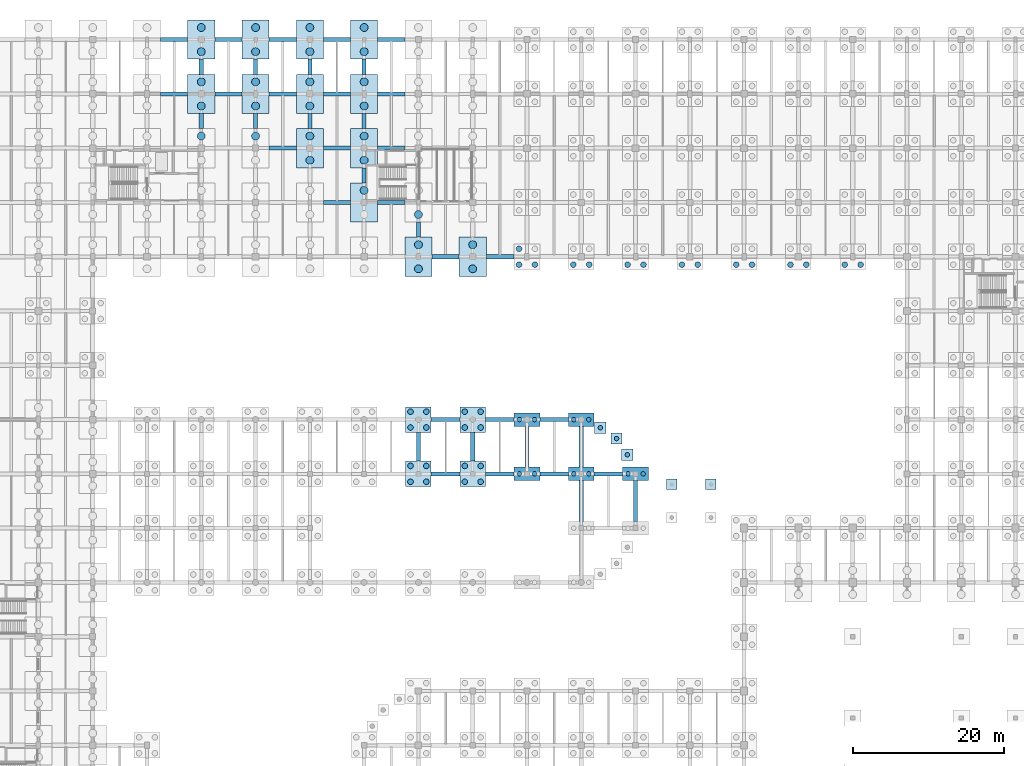
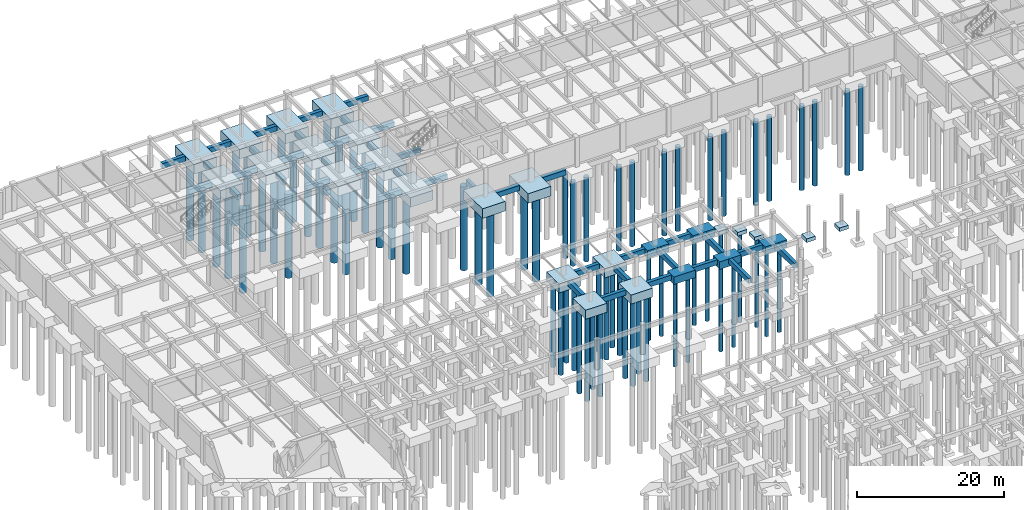
# One storey, part 8 of 47: 72 piles, 67 footings.
"""IFC4 building model written with IfcOpenShell, lengths in metres."""

from ifc_helpers import new_model, si_unit, direction, frame, origin, origin_2d, place, context, subcontext, project, spatial, rectangle, circle, extrude, material, material_profile, profile_set, type_object, element, save


model = new_model("IFC4")

# Units and contexts
model_context = context("Model", 3, precision=1e-05, world=origin(), true_north=direction((0.0, 1.0)))
body_context = subcontext(model_context, "Body", "Model", "MODEL_VIEW")
ifc_project = project(units=[si_unit("LENGTHUNIT", "METRE"), si_unit("AREAUNIT", "SQUARE_METRE"), si_unit("VOLUMEUNIT", "CUBIC_METRE"), si_unit("PLANEANGLEUNIT", "RADIAN"), si_unit("MASSUNIT", "GRAM", prefix="KILO")], contexts=[model_context])

# Site, building, storey
site_placement = place(None, origin())
site = spatial("IfcSite", under=ifc_project, at=site_placement, CompositionType="ELEMENT")
building_placement = place(site_placement, origin())
building = spatial("IfcBuilding", under=site, at=building_placement, Name="Thalmaran Polytechnic", CompositionType="ELEMENT")
storey_placement = place(building_placement, frame((0.0, 0.0, -4.5)))
storey = spatial("IfcBuildingStorey", under=building, at=storey_placement, Name="B1", CompositionType="ELEMENT", Elevation=-4.5)

# Footings
ifc_material_1 = material(Name="Concrete C40/50", Category="concrete")
ifc_material_profile_1 = material_profile(ifc_material_1, rectangle(XDim=0.550048828125, YDim=0.85009765625, at=origin_2d()), Name="RC 550x850")
ifc_profile_set_1 = profile_set([ifc_material_profile_1], Name="Concrete C40/50")
footing_type_1 = type_object("IfcFootingType", Name="FN-GB01", PredefinedType="FOOTING_BEAM", material=ifc_profile_set_1)
for number, where, z_axis, x_axis, name in (
    (1, (30.60009765625, 115.199951171875, -0.875), (1.0, 0.0, 0.0), (0.0, 1.0, 0.0), "Ground Tie Beam B1 X (4,16)"),
    (2, (30.60009765625, 122.39990234375, -0.875), (1.0, 0.0, 0.0), (0.0, 1.0, 0.0), "Ground Tie Beam B1 X (4,17)"),
):
    element("IfcFooting", number, at=place(storey_placement, frame(where, z_axis=z_axis, x_axis=x_axis)), inside=storey, type_object=footing_type_1, Name=name, PredefinedType="FOOTING_BEAM", context=body_context, shape_type="SweptSolid", body=[
        extrude(rectangle(XDim=0.550048828125, YDim=0.85009765625, at=origin_2d()), origin(), (0.0, 0.0, 1.0), 3.599853515625),
    ])
footing_1_placement = place(storey_placement, frame((36.0, 110.60009765625, -0.875), z_axis=(0.0, 1.0, 0.0), x_axis=(-1.0, 0.0, 0.0)))
element("IfcFooting", 3, at=footing_1_placement, inside=storey, type_object=footing_type_1, Name="Ground Tie Beam B1 Y (5,15)", PredefinedType="FOOTING_BEAM", context=body_context, shape_type="SweptSolid", body=[
    extrude(rectangle(XDim=0.550048828125, YDim=0.85009765625, at=origin_2d()), origin(), (0.0, 0.0, 1.0), 2.0),
])
footing_2_placement = place(storey_placement, frame((37.800048828125, 115.199951171875, -0.875), z_axis=(1.0, 0.0, 0.0), x_axis=(0.0, 1.0, 0.0)))
element("IfcFooting", 4, at=footing_2_placement, inside=storey, type_object=footing_type_1, Name="Ground Tie Beam B1 X (5,16)", PredefinedType="FOOTING_BEAM", context=body_context, shape_type="SweptSolid", body=[
    extrude(rectangle(XDim=0.550048828125, YDim=0.85009765625, at=origin_2d()), origin(), (0.0, 0.0, 1.0), 3.599853515625),
])
footing_3_placement = place(storey_placement, frame((36.0, 117.800048828125, -0.875), z_axis=(0.0, 1.0, 0.0), x_axis=(-1.0, 0.0, 0.0)))
element("IfcFooting", 5, at=footing_3_placement, inside=storey, type_object=footing_type_1, Name="Ground Tie Beam B1 Y (5,16)", PredefinedType="FOOTING_BEAM", context=body_context, shape_type="SweptSolid", body=[
    extrude(rectangle(XDim=0.550048828125, YDim=0.85009765625, at=origin_2d()), origin(), (0.0, 0.0, 1.0), 2.0),
])
footing_4_placement = place(storey_placement, frame((37.800048828125, 122.39990234375, -0.875), z_axis=(1.0, 0.0, 0.0), x_axis=(0.0, 1.0, 0.0)))
element("IfcFooting", 6, at=footing_4_placement, inside=storey, type_object=footing_type_1, Name="Ground Tie Beam B1 X (5,17)", PredefinedType="FOOTING_BEAM", context=body_context, shape_type="SweptSolid", body=[
    extrude(rectangle(XDim=0.550048828125, YDim=0.85009765625, at=origin_2d()), origin(), (0.0, 0.0, 1.0), 3.599853515625),
])
footing_5_placement = place(storey_placement, frame((45.0, 108.0, -0.875), z_axis=(1.0, 0.0, 0.0), x_axis=(0.0, 1.0, 0.0)))
element("IfcFooting", 7, at=footing_5_placement, inside=storey, type_object=footing_type_1, Name="Ground Tie Beam B1 X (6,15)", PredefinedType="FOOTING_BEAM", context=body_context, shape_type="SweptSolid", body=[
    extrude(rectangle(XDim=0.550048828125, YDim=0.85009765625, at=origin_2d()), origin(), (0.0, 0.0, 1.0), 3.60009765625),
])
footing_6_placement = place(storey_placement, frame((43.199951171875, 110.60009765625, -0.875), z_axis=(0.0, 1.0, 0.0), x_axis=(-1.0, 0.0, 0.0)))
element("IfcFooting", 8, at=footing_6_placement, inside=storey, type_object=footing_type_1, Name="Ground Tie Beam B1 Y (6,15)", PredefinedType="FOOTING_BEAM", context=body_context, shape_type="SweptSolid", body=[
    extrude(rectangle(XDim=0.550048828125, YDim=0.85009765625, at=origin_2d()), origin(), (0.0, 0.0, 1.0), 2.0),
])
footing_7_placement = place(storey_placement, frame((45.0, 115.199951171875, -0.875), z_axis=(1.0, 0.0, 0.0), x_axis=(0.0, 1.0, 0.0)))
element("IfcFooting", 9, at=footing_7_placement, inside=storey, type_object=footing_type_1, Name="Ground Tie Beam B1 X (6,16)", PredefinedType="FOOTING_BEAM", context=body_context, shape_type="SweptSolid", body=[
    extrude(rectangle(XDim=0.550048828125, YDim=0.85009765625, at=origin_2d()), origin(), (0.0, 0.0, 1.0), 3.60009765625),
])
footing_8_placement = place(storey_placement, frame((43.199951171875, 117.800048828125, -0.875), z_axis=(0.0, 1.0, 0.0), x_axis=(-1.0, 0.0, 0.0)))
element("IfcFooting", 10, at=footing_8_placement, inside=storey, type_object=footing_type_1, Name="Ground Tie Beam B1 Y (6,16)", PredefinedType="FOOTING_BEAM", context=body_context, shape_type="SweptSolid", body=[
    extrude(rectangle(XDim=0.550048828125, YDim=0.85009765625, at=origin_2d()), origin(), (0.0, 0.0, 1.0), 2.0),
])
for number, where, z_axis, x_axis, name in (
    (11, (45.0, 122.39990234375, -0.875), (1.0, 0.0, 0.0), (0.0, 1.0, 0.0), "Ground Tie Beam B1 X (6,17)"),
    (12, (52.199951171875, 100.800048828125, -0.875), (1.0, 0.0, 0.0), (0.0, 1.0, 0.0), "Ground Tie Beam B1 X (7,14)"),
    (13, (52.199951171875, 108.0, -0.875), (1.0, 0.0, 0.0), (0.0, 1.0, 0.0), "Ground Tie Beam B1 X (7,15)"),
):
    element("IfcFooting", number, at=place(storey_placement, frame(where, z_axis=z_axis, x_axis=x_axis)), inside=storey, type_object=footing_type_1, Name=name, PredefinedType="FOOTING_BEAM", context=body_context, shape_type="SweptSolid", body=[
        extrude(rectangle(XDim=0.550048828125, YDim=0.85009765625, at=origin_2d()), origin(), (0.0, 0.0, 1.0), 3.60009765625),
    ])
footing_9_placement = place(storey_placement, frame((50.39990234375, 110.60009765625, -0.875), z_axis=(0.0, 1.0, 0.0), x_axis=(-1.0, 0.0, 0.0)))
element("IfcFooting", 14, at=footing_9_placement, inside=storey, type_object=footing_type_1, Name="Ground Tie Beam B1 Y (7,15)", PredefinedType="FOOTING_BEAM", context=body_context, shape_type="SweptSolid", body=[
    extrude(rectangle(XDim=0.550048828125, YDim=0.85009765625, at=origin_2d()), origin(), (0.0, 0.0, 1.0), 2.0),
])
footing_10_placement = place(storey_placement, frame((52.199951171875, 115.199951171875, -0.875), z_axis=(1.0, 0.0, 0.0), x_axis=(0.0, 1.0, 0.0)))
element("IfcFooting", 15, at=footing_10_placement, inside=storey, type_object=footing_type_1, Name="Ground Tie Beam B1 X (7,16)", PredefinedType="FOOTING_BEAM", context=body_context, shape_type="SweptSolid", body=[
    extrude(rectangle(XDim=0.550048828125, YDim=0.85009765625, at=origin_2d()), origin(), (0.0, 0.0, 1.0), 3.60009765625),
])
footing_11_placement = place(storey_placement, frame((50.39990234375, 117.800048828125, -0.875), z_axis=(0.0, 1.0, 0.0), x_axis=(-1.0, 0.0, 0.0)))
element("IfcFooting", 16, at=footing_11_placement, inside=storey, type_object=footing_type_1, Name="Ground Tie Beam B1 Y (7,16)", PredefinedType="FOOTING_BEAM", context=body_context, shape_type="SweptSolid", body=[
    extrude(rectangle(XDim=0.550048828125, YDim=0.85009765625, at=origin_2d()), origin(), (0.0, 0.0, 1.0), 2.0),
])
for number, where, z_axis, x_axis, name in (
    (17, (52.199951171875, 122.39990234375, -0.875), (1.0, 0.0, 0.0), (0.0, 1.0, 0.0), "Ground Tie Beam B1 X (7,17)"),
    (18, (59.39990234375, 100.800048828125, -0.875), (1.0, 0.0, 0.0), (0.0, 1.0, 0.0), "Ground Tie Beam B1 X (8,14)"),
):
    element("IfcFooting", number, at=place(storey_placement, frame(where, z_axis=z_axis, x_axis=x_axis)), inside=storey, type_object=footing_type_1, Name=name, PredefinedType="FOOTING_BEAM", context=body_context, shape_type="SweptSolid", body=[
        extrude(rectangle(XDim=0.550048828125, YDim=0.85009765625, at=origin_2d()), origin(), (0.0, 0.0, 1.0), 3.60009765625),
    ])
footing_12_placement = place(storey_placement, frame((57.60009765625, 103.39990234375, -0.875), z_axis=(0.0, 1.0, 0.0), x_axis=(-1.0, 0.0, 0.0)))
element("IfcFooting", 19, at=footing_12_placement, inside=storey, type_object=footing_type_1, Name="Ground Tie Beam B1 Y (8,14)", PredefinedType="FOOTING_BEAM", context=body_context, shape_type="SweptSolid", body=[
    extrude(rectangle(XDim=0.550048828125, YDim=0.85009765625, at=origin_2d()), origin(), (0.0, 0.0, 1.0), 2.0),
])
footing_13_placement = place(storey_placement, frame((59.39990234375, 108.0, -0.875), z_axis=(1.0, 0.0, 0.0), x_axis=(0.0, 1.0, 0.0)))
element("IfcFooting", 20, at=footing_13_placement, inside=storey, type_object=footing_type_1, Name="Ground Tie Beam B1 X (8,15)", PredefinedType="FOOTING_BEAM", context=body_context, shape_type="SweptSolid", body=[
    extrude(rectangle(XDim=0.550048828125, YDim=0.85009765625, at=origin_2d()), origin(), (0.0, 0.0, 1.0), 3.60009765625),
])
footing_14_placement = place(storey_placement, frame((57.60009765625, 110.60009765625, -0.875), z_axis=(0.0, 1.0, 0.0), x_axis=(-1.0, 0.0, 0.0)))
element("IfcFooting", 21, at=footing_14_placement, inside=storey, type_object=footing_type_1, Name="Ground Tie Beam B1 Y (8,15)", PredefinedType="FOOTING_BEAM", context=body_context, shape_type="SweptSolid", body=[
    extrude(rectangle(XDim=0.550048828125, YDim=0.85009765625, at=origin_2d()), origin(), (0.0, 0.0, 1.0), 2.0),
])
footing_15_placement = place(storey_placement, frame((59.39990234375, 115.199951171875, -0.875), z_axis=(1.0, 0.0, 0.0), x_axis=(0.0, 1.0, 0.0)))
element("IfcFooting", 22, at=footing_15_placement, inside=storey, type_object=footing_type_1, Name="Ground Tie Beam B1 X (8,16)", PredefinedType="FOOTING_BEAM", context=body_context, shape_type="SweptSolid", body=[
    extrude(rectangle(XDim=0.550048828125, YDim=0.85009765625, at=origin_2d()), origin(), (0.0, 0.0, 1.0), 3.60009765625),
])
footing_16_placement = place(storey_placement, frame((57.60009765625, 117.800048828125, -0.875), z_axis=(0.0, 1.0, 0.0), x_axis=(-1.0, 0.0, 0.0)))
element("IfcFooting", 23, at=footing_16_placement, inside=storey, type_object=footing_type_1, Name="Ground Tie Beam B1 Y (8,16)", PredefinedType="FOOTING_BEAM", context=body_context, shape_type="SweptSolid", body=[
    extrude(rectangle(XDim=0.550048828125, YDim=0.85009765625, at=origin_2d()), origin(), (0.0, 0.0, 1.0), 2.0),
])
footing_17_placement = place(storey_placement, frame((59.39990234375, 122.39990234375, -0.875), z_axis=(1.0, 0.0, 0.0), x_axis=(0.0, 1.0, 0.0)))
element("IfcFooting", 24, at=footing_17_placement, inside=storey, type_object=footing_type_1, Name="Ground Tie Beam B1 X (8,17)", PredefinedType="FOOTING_BEAM", context=body_context, shape_type="SweptSolid", body=[
    extrude(rectangle(XDim=0.550048828125, YDim=0.85009765625, at=origin_2d()), origin(), (0.0, 0.0, 1.0), 3.60009765625),
])
for number, where, z_axis, x_axis, name in (
    (25, (66.5, 64.800048828125, -0.875), (1.0, 0.0, 0.0), (0.0, 1.0, 0.0), "Ground Tie Beam B1 X (9,9)"),
    (26, (64.800048828125, 66.5, -0.875), (0.0, 1.0, 0.0), (-1.0, 0.0, 0.0), "Ground Tie Beam B1 Y (9,9)"),
    (27, (66.5, 72.0, -0.875), (1.0, 0.0, 0.0), (0.0, 1.0, 0.0), "Ground Tie Beam B1 X (9,10)"),
):
    element("IfcFooting", number, at=place(storey_placement, frame(where, z_axis=z_axis, x_axis=x_axis)), inside=storey, type_object=footing_type_1, Name=name, PredefinedType="FOOTING_BEAM", context=body_context, shape_type="SweptSolid", body=[
        extrude(rectangle(XDim=0.550048828125, YDim=0.85009765625, at=origin_2d()), origin(), (0.0, 0.0, 1.0), 3.800048828125),
    ])
footing_18_placement = place(storey_placement, frame((66.60009765625, 93.60009765625, -0.875), z_axis=(1.0, 0.0, 0.0), x_axis=(0.0, 1.0, 0.0)))
element("IfcFooting", 28, at=footing_18_placement, inside=storey, type_object=footing_type_1, Name="Ground Tie Beam B1 X (9,13)", PredefinedType="FOOTING_BEAM", context=body_context, shape_type="SweptSolid", body=[
    extrude(rectangle(XDim=0.550048828125, YDim=0.85009765625, at=origin_2d()), origin(), (0.0, 0.0, 1.0), 3.599853515625),
])
footing_19_placement = place(storey_placement, frame((64.800048828125, 96.199951171875, -0.875), z_axis=(0.0, 1.0, 0.0), x_axis=(-1.0, 0.0, 0.0)))
element("IfcFooting", 29, at=footing_19_placement, inside=storey, type_object=footing_type_1, Name="Ground Tie Beam B1 Y (9,13)", PredefinedType="FOOTING_BEAM", context=body_context, shape_type="SweptSolid", body=[
    extrude(rectangle(XDim=0.550048828125, YDim=0.85009765625, at=origin_2d()), origin(), (0.0, 0.0, 1.0), 2.0),
])
for number, where, z_axis, x_axis, name in (
    (30, (73.699951171875, 64.800048828125, -0.875), (1.0, 0.0, 0.0), (0.0, 1.0, 0.0), "Ground Tie Beam B1 X (10,9)"),
    (31, (72.0, 66.5, -0.875), (0.0, 1.0, 0.0), (-1.0, 0.0, 0.0), "Ground Tie Beam B1 Y (10,9)"),
    (32, (73.699951171875, 72.0, -0.875), (1.0, 0.0, 0.0), (0.0, 1.0, 0.0), "Ground Tie Beam B1 X (10,10)"),
):
    element("IfcFooting", number, at=place(storey_placement, frame(where, z_axis=z_axis, x_axis=x_axis)), inside=storey, type_object=footing_type_1, Name=name, PredefinedType="FOOTING_BEAM", context=body_context, shape_type="SweptSolid", body=[
        extrude(rectangle(XDim=0.550048828125, YDim=0.85009765625, at=origin_2d()), origin(), (0.0, 0.0, 1.0), 3.800048828125),
    ])
footing_20_placement = place(storey_placement, frame((73.800048828125, 93.60009765625, -0.875), z_axis=(1.0, 0.0, 0.0), x_axis=(0.0, 1.0, 0.0)))
element("IfcFooting", 33, at=footing_20_placement, inside=storey, type_object=footing_type_1, Name="Ground Tie Beam B1 X (10,13)", PredefinedType="FOOTING_BEAM", context=body_context, shape_type="SweptSolid", body=[
    extrude(rectangle(XDim=0.550048828125, YDim=0.85009765625, at=origin_2d()), origin(), (0.0, 0.0, 1.0), 3.699951171875),
])
footing_21_placement = place(storey_placement, frame((80.89990234375, 64.800048828125, -0.875), z_axis=(1.0, 0.0, 0.0), x_axis=(0.0, 1.0, 0.0)))
element("IfcFooting", 34, at=footing_21_placement, inside=storey, type_object=footing_type_1, Name="Ground Tie Beam B1 X (11,9)", PredefinedType="FOOTING_BEAM", context=body_context, shape_type="SweptSolid", body=[
    extrude(rectangle(XDim=0.550048828125, YDim=0.85009765625, at=origin_2d()), origin(), (0.0, 0.0, 1.0), 3.800048828125),
])
footing_22_placement = place(storey_placement, frame((79.199951171875, 65.699951171875, -0.875), z_axis=(0.0, 1.0, 0.0), x_axis=(-1.0, 0.0, 0.0)))
element("IfcFooting", 35, at=footing_22_placement, inside=storey, type_object=footing_type_1, Name="Ground Tie Beam B1 Y (11,9)", PredefinedType="FOOTING_BEAM", context=body_context, shape_type="SweptSolid", body=[
    extrude(rectangle(XDim=0.550048828125, YDim=0.85009765625, at=origin_2d()), origin(), (0.0, 0.0, 1.0), 5.400146484375),
])
footing_23_placement = place(storey_placement, frame((80.89990234375, 72.0, -0.875), z_axis=(1.0, 0.0, 0.0), x_axis=(0.0, 1.0, 0.0)))
element("IfcFooting", 36, at=footing_23_placement, inside=storey, type_object=footing_type_1, Name="Ground Tie Beam B1 X (11,10)", PredefinedType="FOOTING_BEAM", context=body_context, shape_type="SweptSolid", body=[
    extrude(rectangle(XDim=0.550048828125, YDim=0.85009765625, at=origin_2d()), origin(), (0.0, 0.0, 1.0), 3.800048828125),
])
footing_24_placement = place(storey_placement, frame((86.39990234375, 58.5, -0.875), z_axis=(0.0, 1.0, 0.0), x_axis=(-1.0, 0.0, 0.0)))
element("IfcFooting", 37, at=footing_24_placement, inside=storey, type_object=footing_type_1, Name="Ground Tie Beam B1 Y (12,8)", PredefinedType="FOOTING_BEAM", context=body_context, shape_type="SweptSolid", body=[
    extrude(rectangle(XDim=0.550048828125, YDim=0.85009765625, at=origin_2d()), origin(), (0.0, 0.0, 1.0), 5.39990234375),
])
footing_25_placement = place(storey_placement, frame((88.10009765625, 64.800048828125, -0.875), z_axis=(1.0, 0.0, 0.0), x_axis=(0.0, 1.0, 0.0)))
element("IfcFooting", 38, at=footing_25_placement, inside=storey, type_object=footing_type_1, Name="Ground Tie Beam B1 X (12,9)", PredefinedType="FOOTING_BEAM", context=body_context, shape_type="SweptSolid", body=[
    extrude(rectangle(XDim=0.550048828125, YDim=0.85009765625, at=origin_2d()), origin(), (0.0, 0.0, 1.0), 3.7998046875),
])
footing_26_placement = place(storey_placement, frame((86.39990234375, 65.699951171875, -0.875), z_axis=(0.0, 1.0, 0.0), x_axis=(-1.0, 0.0, 0.0)))
element("IfcFooting", 39, at=footing_26_placement, inside=storey, type_object=footing_type_1, Name="Ground Tie Beam B1 Y (12,9)", PredefinedType="FOOTING_BEAM", context=body_context, shape_type="SweptSolid", body=[
    extrude(rectangle(XDim=0.550048828125, YDim=0.85009765625, at=origin_2d()), origin(), (0.0, 0.0, 1.0), 5.400146484375),
])
footing_27_placement = place(storey_placement, frame((93.60009765625, 58.5, -0.875), z_axis=(0.0, 1.0, 0.0), x_axis=(-1.0, 0.0, 0.0)))
element("IfcFooting", 40, at=footing_27_placement, inside=storey, type_object=footing_type_1, Name="Ground Tie Beam B1 Y (13,8)", PredefinedType="FOOTING_BEAM", context=body_context, shape_type="SweptSolid", body=[
    extrude(rectangle(XDim=0.550048828125, YDim=0.85009765625, at=origin_2d()), origin(), (0.0, 0.0, 1.0), 5.39990234375),
])
footing_type_2 = type_object("IfcFootingType", Name="FN-PC01", PredefinedType="PILE_CAP", material=ifc_material_1)
for number, where, z_axis, x_axis, name in (
    (41, (64.800048828125, 64.800048828125, -1.949951171875), (0.0, 0.0, 1.0), (1.0, 0.0, 0.0), "Pile Cap PC01 (9,9)"),
    (42, (64.800048828125, 72.0, -1.949951171875), (0.0, 0.0, 1.0), (1.0, 0.0, 0.0), "Pile Cap PC01 (9,10)"),
    (43, (72.0, 64.800048828125, -1.949951171875), (0.0, 0.0, 1.0), (1.0, 0.0, 0.0), "Pile Cap PC01 (10,9)"),
    (44, (72.0, 72.0, -1.949951171875), (0.0, 0.0, 1.0), (1.0, 0.0, 0.0), "Pile Cap PC01 (10,10)"),
):
    element("IfcFooting", number, at=place(storey_placement, frame(where, z_axis=z_axis, x_axis=x_axis)), inside=storey, type_object=footing_type_2, Name=name, PredefinedType="PILE_CAP", context=body_context, shape_type="SweptSolid", body=[
        extrude(rectangle(XDim=3.39990234375, YDim=3.39990234375, at=origin_2d()), origin(), (0.0, 0.0, 1.0), 1.5),
    ])
footing_type_3 = type_object("IfcFootingType", Name="FN-PC05", PredefinedType="PILE_CAP", material=ifc_material_1)
for number, where, z_axis, x_axis, name in (
    (45, (79.199951171875, 64.800048828125, -1.699951171875), (0.0, 0.0, 1.0), (1.0, 0.0, 0.0), "Pile Cap PC05 (11,9)"),
    (46, (79.199951171875, 72.0, -1.699951171875), (0.0, 0.0, 1.0), (1.0, 0.0, 0.0), "Pile Cap PC05 (11,10)"),
    (47, (86.39990234375, 64.800048828125, -1.699951171875), (0.0, 0.0, 1.0), (1.0, 0.0, 0.0), "Pile Cap PC05 (12,9)"),
    (48, (86.39990234375, 72.0, -1.699951171875), (0.0, 0.0, 1.0), (1.0, 0.0, 0.0), "Pile Cap PC05 (12,10)"),
    (49, (93.60009765625, 64.800048828125, -1.699951171875), (0.0, 0.0, 1.0), (1.0, 0.0, 0.0), "Pile Cap PC05 (13,9)"),
):
    element("IfcFooting", number, at=place(storey_placement, frame(where, z_axis=z_axis, x_axis=x_axis)), inside=storey, type_object=footing_type_3, Name=name, PredefinedType="PILE_CAP", context=body_context, shape_type="SweptSolid", body=[
        extrude(rectangle(XDim=3.39990234375, YDim=1.800048828125, at=origin_2d()), origin(), (0.0, 0.0, 1.0), 1.25),
    ])
footing_type_4 = type_object("IfcFootingType", Name="FN-PC08", PredefinedType="PILE_CAP", material=ifc_material_1)
for number, where, z_axis, x_axis, name in (
    (50, (36.0, 115.199951171875, -2.050048828125), (0.0, 0.0, 1.0), (1.0, 0.0, 0.0), "Pile Cap PC08 (5,16)"),
    (51, (36.0, 122.39990234375, -2.050048828125), (0.0, 0.0, 1.0), (1.0, 0.0, 0.0), "Pile Cap PC08 (5,17)"),
    (52, (43.199951171875, 115.199951171875, -2.050048828125), (0.0, 0.0, 1.0), (1.0, 0.0, 0.0), "Pile Cap PC08 (6,16)"),
    (53, (43.199951171875, 122.39990234375, -2.050048828125), (0.0, 0.0, 1.0), (1.0, 0.0, 0.0), "Pile Cap PC08 (6,17)"),
    (54, (50.39990234375, 108.0, -2.050048828125), (0.0, 0.0, 1.0), (1.0, 0.0, 0.0), "Pile Cap PC08 (7,15)"),
    (55, (50.39990234375, 115.199951171875, -2.050048828125), (0.0, 0.0, 1.0), (1.0, 0.0, 0.0), "Pile Cap PC08 (7,16)"),
    (56, (50.39990234375, 122.39990234375, -2.050048828125), (0.0, 0.0, 1.0), (1.0, 0.0, 0.0), "Pile Cap PC08 (7,17)"),
    (57, (57.60009765625, 100.800048828125, -2.050048828125), (0.0, 0.0, 1.0), (1.0, 0.0, 0.0), "Pile Cap PC08 (8,14)"),
    (58, (57.60009765625, 108.0, -2.050048828125), (0.0, 0.0, 1.0), (1.0, 0.0, 0.0), "Pile Cap PC08 (8,15)"),
    (59, (57.60009765625, 115.199951171875, -2.050048828125), (0.0, 0.0, 1.0), (1.0, 0.0, 0.0), "Pile Cap PC08 (8,16)"),
    (60, (57.60009765625, 122.39990234375, -2.050048828125), (0.0, 0.0, 1.0), (1.0, 0.0, 0.0), "Pile Cap PC08 (8,17)"),
    (61, (64.800048828125, 93.60009765625, -2.050048828125), (0.0, 0.0, 1.0), (1.0, 0.0, 0.0), "Pile Cap PC08 (9,13)"),
    (62, (72.0, 93.60009765625, -2.050048828125), (0.0, 0.0, 1.0), (1.0, 0.0, 0.0), "Pile Cap PC08 (10,13)"),
):
    element("IfcFooting", number, at=place(storey_placement, frame(where, z_axis=z_axis, x_axis=x_axis)), inside=storey, type_object=footing_type_4, Name=name, PredefinedType="PILE_CAP", context=body_context, shape_type="SweptSolid", body=[
        extrude(rectangle(XDim=3.60009765625, YDim=5.199951171875, at=origin_2d()), origin(), (0.0, 0.0, 1.0), 1.60009765625),
    ])
footing_type_5 = type_object("IfcFootingType", Name="FN-PF03", PredefinedType="PAD_FOOTING", material=ifc_material_1)
for number, where, z_axis, x_axis, name in (
    (63, (98.39990234375, 63.39990234375, -1.050048828125), (0.0, 0.0, 1.0), (1.0, 0.0, 0.0), "Court Canopy Sabkha Footing 0-63"),
    (64, (103.60009765625, 63.39990234375, -1.050048828125), (0.0, 0.0, 1.0), (1.0, 0.0, 0.0), "Court Canopy Sabkha Footing 1-63"),
):
    element("IfcFooting", number, at=place(storey_placement, frame(where, z_axis=z_axis, x_axis=x_axis)), inside=storey, type_object=footing_type_5, Name=name, PredefinedType="PAD_FOOTING", context=body_context, shape_type="SweptSolid", body=[
        extrude(rectangle(XDim=1.39990234375, YDim=1.39990234375, at=origin_2d()), origin(), (0.0, 0.0, 1.0), 0.60009765625),
    ])
for number, where, z_axis, x_axis, name in (
    (65, (92.51611328125, 67.333251953125, -1.050048828125), (0.0, 0.0, 1.0), (1.0, 0.0, 0.0), "Refectory Drum Column Cap V6NE1"),
    (66, (91.0810546875, 69.48095703125, -1.050048828125), (0.0, 0.0, 1.0), (1.0, 0.0, 0.0), "Refectory Drum Column Cap V6NE2"),
    (67, (88.933349609375, 70.916015625, -1.050048828125), (0.0, 0.0, 1.0), (1.0, 0.0, 0.0), "Refectory Drum Column Cap V6NE3"),
):
    element("IfcFooting", number, at=place(storey_placement, frame(where, z_axis=z_axis, x_axis=x_axis)), inside=storey, type_object=footing_type_5, Name=name, PredefinedType="PAD_FOOTING", context=body_context, shape_type="SweptSolid", body=[
        extrude(rectangle(XDim=1.5, YDim=1.5, at=origin_2d()), origin(), (0.0, 0.0, 1.0), 0.60009765625),
    ])

# Piles
ifc_material_2 = material(Name="Concrete C35/45", Category="concrete")
ifc_material_profile_2 = material_profile(ifc_material_2, circle(Radius=0.52490234375, at=origin_2d()), Name="RC 1050 DIA")
ifc_profile_set_2 = profile_set([ifc_material_profile_2], Name="Concrete C35/45")
pile_type_1 = type_object("IfcPileType", Name="PL-BP01", PredefinedType="BORED", material=ifc_profile_set_2)
for number, where, z_axis, x_axis, name in (
    (68, (36.0, 109.60009765625, -2.050048828125), (0.0, 0.0, -1.0), (1.0, 0.0, 0.0), "Bored Pile BP01 (5,15)-2"),
    (69, (36.0, 113.60009765625, -2.050048828125), (0.0, 0.0, -1.0), (1.0, 0.0, 0.0), "Bored Pile BP01 (5,16)-1"),
    (70, (36.0, 116.800048828125, -2.050048828125), (0.0, 0.0, -1.0), (1.0, 0.0, 0.0), "Bored Pile BP01 (5,16)-2"),
    (71, (36.0, 120.800048828125, -2.050048828125), (0.0, 0.0, -1.0), (1.0, 0.0, 0.0), "Bored Pile BP01 (5,17)-1"),
    (72, (36.0, 124.0, -2.050048828125), (0.0, 0.0, -1.0), (1.0, 0.0, 0.0), "Bored Pile BP01 (5,17)-2"),
    (73, (43.199951171875, 109.60009765625, -2.050048828125), (0.0, 0.0, -1.0), (1.0, 0.0, 0.0), "Bored Pile BP01 (6,15)-2"),
    (74, (43.199951171875, 113.60009765625, -2.050048828125), (0.0, 0.0, -1.0), (1.0, 0.0, 0.0), "Bored Pile BP01 (6,16)-1"),
    (75, (43.199951171875, 116.800048828125, -2.050048828125), (0.0, 0.0, -1.0), (1.0, 0.0, 0.0), "Bored Pile BP01 (6,16)-2"),
    (76, (43.199951171875, 120.800048828125, -2.050048828125), (0.0, 0.0, -1.0), (1.0, 0.0, 0.0), "Bored Pile BP01 (6,17)-1"),
    (77, (43.199951171875, 124.0, -2.050048828125), (0.0, 0.0, -1.0), (1.0, 0.0, 0.0), "Bored Pile BP01 (6,17)-2"),
    (78, (50.39990234375, 106.39990234375, -2.050048828125), (0.0, 0.0, -1.0), (1.0, 0.0, 0.0), "Bored Pile BP01 (7,15)-1"),
    (79, (50.39990234375, 109.60009765625, -2.050048828125), (0.0, 0.0, -1.0), (1.0, 0.0, 0.0), "Bored Pile BP01 (7,15)-2"),
    (80, (50.39990234375, 113.60009765625, -2.050048828125), (0.0, 0.0, -1.0), (1.0, 0.0, 0.0), "Bored Pile BP01 (7,16)-1"),
    (81, (50.39990234375, 116.800048828125, -2.050048828125), (0.0, 0.0, -1.0), (1.0, 0.0, 0.0), "Bored Pile BP01 (7,16)-2"),
    (82, (50.39990234375, 120.800048828125, -2.050048828125), (0.0, 0.0, -1.0), (1.0, 0.0, 0.0), "Bored Pile BP01 (7,17)-1"),
    (83, (50.39990234375, 124.0, -2.050048828125), (0.0, 0.0, -1.0), (1.0, 0.0, 0.0), "Bored Pile BP01 (7,17)-2"),
    (84, (57.60009765625, 102.39990234375, -2.050048828125), (0.0, 0.0, -1.0), (1.0, 0.0, 0.0), "Bored Pile BP01 (8,14)-2"),
    (85, (57.60009765625, 106.39990234375, -2.050048828125), (0.0, 0.0, -1.0), (1.0, 0.0, 0.0), "Bored Pile BP01 (8,15)-1"),
    (86, (57.60009765625, 109.60009765625, -2.050048828125), (0.0, 0.0, -1.0), (1.0, 0.0, 0.0), "Bored Pile BP01 (8,15)-2"),
    (87, (57.60009765625, 113.60009765625, -2.050048828125), (0.0, 0.0, -1.0), (1.0, 0.0, 0.0), "Bored Pile BP01 (8,16)-1"),
    (88, (57.60009765625, 116.800048828125, -2.050048828125), (0.0, 0.0, -1.0), (1.0, 0.0, 0.0), "Bored Pile BP01 (8,16)-2"),
    (89, (57.60009765625, 120.800048828125, -2.050048828125), (0.0, 0.0, -1.0), (1.0, 0.0, 0.0), "Bored Pile BP01 (8,17)-1"),
    (90, (57.60009765625, 124.0, -2.050048828125), (0.0, 0.0, -1.0), (1.0, 0.0, 0.0), "Bored Pile BP01 (8,17)-2"),
    (91, (64.800048828125, 92.0, -2.050048828125), (0.0, 0.0, -1.0), (1.0, 0.0, 0.0), "Bored Pile BP01 (9,13)-1"),
    (92, (64.800048828125, 95.199951171875, -2.050048828125), (0.0, 0.0, -1.0), (1.0, 0.0, 0.0), "Bored Pile BP01 (9,13)-2"),
    (93, (64.800048828125, 99.199951171875, -2.050048828125), (0.0, 0.0, -1.0), (1.0, 0.0, 0.0), "Bored Pile BP01 (9,14)-1"),
    (94, (72.0, 92.0, -2.050048828125), (0.0, 0.0, -1.0), (1.0, 0.0, 0.0), "Bored Pile BP01 (10,13)-1"),
    (95, (72.0, 95.199951171875, -2.050048828125), (0.0, 0.0, -1.0), (1.0, 0.0, 0.0), "Bored Pile BP01 (10,13)-2"),
):
    element("IfcPile", number, at=place(storey_placement, frame(where, z_axis=z_axis, x_axis=x_axis)), inside=storey, type_object=pile_type_1, Name=name, PredefinedType="BORED", context=body_context, shape_type="SweptSolid", body=[
        extrude(circle(Radius=0.52490234375, at=origin_2d()), origin(), (0.0, 0.0, 1.0), 13.949951171875),
    ])
ifc_material_profile_3 = material_profile(ifc_material_2, circle(Radius=0.375, at=origin_2d()), Name="RC 750 DIA")
ifc_profile_set_3 = profile_set([ifc_material_profile_3], Name="Concrete C35/45")
pile_type_2 = type_object("IfcPileType", Name="PL-BP03", PredefinedType="BORED", material=ifc_profile_set_3)
for number, where, z_axis, x_axis, name in (
    (96, (63.75, 63.75, -1.949951171875), (0.0, 0.0, -1.0), (1.0, 0.0, 0.0), "Bored Pile BP03 (9,9)-1"),
    (97, (63.75, 65.85009765625, -1.949951171875), (0.0, 0.0, -1.0), (1.0, 0.0, 0.0), "Bored Pile BP03 (9,9)-2"),
    (98, (65.85009765625, 63.75, -1.949951171875), (0.0, 0.0, -1.0), (1.0, 0.0, 0.0), "Bored Pile BP03 (9,9)-3"),
    (99, (65.85009765625, 65.85009765625, -1.949951171875), (0.0, 0.0, -1.0), (1.0, 0.0, 0.0), "Bored Pile BP03 (9,9)-4"),
    (100, (63.75, 70.949951171875, -1.949951171875), (0.0, 0.0, -1.0), (1.0, 0.0, 0.0), "Bored Pile BP03 (9,10)-1"),
    (101, (63.75, 73.050048828125, -1.949951171875), (0.0, 0.0, -1.0), (1.0, 0.0, 0.0), "Bored Pile BP03 (9,10)-2"),
    (102, (65.85009765625, 70.949951171875, -1.949951171875), (0.0, 0.0, -1.0), (1.0, 0.0, 0.0), "Bored Pile BP03 (9,10)-3"),
    (103, (65.85009765625, 73.050048828125, -1.949951171875), (0.0, 0.0, -1.0), (1.0, 0.0, 0.0), "Bored Pile BP03 (9,10)-4"),
    (104, (70.949951171875, 63.75, -1.949951171875), (0.0, 0.0, -1.0), (1.0, 0.0, 0.0), "Bored Pile BP03 (10,9)-1"),
    (105, (70.949951171875, 65.85009765625, -1.949951171875), (0.0, 0.0, -1.0), (1.0, 0.0, 0.0), "Bored Pile BP03 (10,9)-2"),
    (106, (73.050048828125, 63.75, -1.949951171875), (0.0, 0.0, -1.0), (1.0, 0.0, 0.0), "Bored Pile BP03 (10,9)-3"),
    (107, (73.050048828125, 65.85009765625, -1.949951171875), (0.0, 0.0, -1.0), (1.0, 0.0, 0.0), "Bored Pile BP03 (10,9)-4"),
    (108, (70.949951171875, 70.949951171875, -1.949951171875), (0.0, 0.0, -1.0), (1.0, 0.0, 0.0), "Bored Pile BP03 (10,10)-1"),
    (109, (70.949951171875, 73.050048828125, -1.949951171875), (0.0, 0.0, -1.0), (1.0, 0.0, 0.0), "Bored Pile BP03 (10,10)-2"),
    (110, (73.050048828125, 70.949951171875, -1.949951171875), (0.0, 0.0, -1.0), (1.0, 0.0, 0.0), "Bored Pile BP03 (10,10)-3"),
    (111, (73.050048828125, 73.050048828125, -1.949951171875), (0.0, 0.0, -1.0), (1.0, 0.0, 0.0), "Bored Pile BP03 (10,10)-4"),
    (112, (78.14990234375, 92.550048828125, -1.949951171875), (0.0, 0.0, -1.0), (1.0, 0.0, 0.0), "Bored Pile BP03 (11,13)-1"),
    (113, (78.14990234375, 94.64990234375, -1.949951171875), (0.0, 0.0, -1.0), (1.0, 0.0, 0.0), "Bored Pile BP03 (11,13)-2"),
    (114, (80.25, 92.550048828125, -1.949951171875), (0.0, 0.0, -1.0), (1.0, 0.0, 0.0), "Bored Pile BP03 (11,13)-3"),
    (115, (85.35009765625, 92.550048828125, -1.949951171875), (0.0, 0.0, -1.0), (1.0, 0.0, 0.0), "Bored Pile BP03 (12,13)-1"),
    (116, (87.449951171875, 92.550048828125, -1.949951171875), (0.0, 0.0, -1.0), (1.0, 0.0, 0.0), "Bored Pile BP03 (12,13)-3"),
    (117, (92.550048828125, 92.550048828125, -1.949951171875), (0.0, 0.0, -1.0), (1.0, 0.0, 0.0), "Bored Pile BP03 (13,13)-1"),
    (118, (94.64990234375, 92.550048828125, -1.949951171875), (0.0, 0.0, -1.0), (1.0, 0.0, 0.0), "Bored Pile BP03 (13,13)-3"),
    (119, (99.75, 92.550048828125, -1.949951171875), (0.0, 0.0, -1.0), (1.0, 0.0, 0.0), "Bored Pile BP03 (14,13)-1"),
    (120, (101.85009765625, 92.550048828125, -1.949951171875), (0.0, 0.0, -1.0), (1.0, 0.0, 0.0), "Bored Pile BP03 (14,13)-3"),
    (121, (106.949951171875, 92.550048828125, -1.949951171875), (0.0, 0.0, -1.0), (1.0, 0.0, 0.0), "Bored Pile BP03 (15,13)-1"),
    (122, (109.050048828125, 92.550048828125, -1.949951171875), (0.0, 0.0, -1.0), (1.0, 0.0, 0.0), "Bored Pile BP03 (15,13)-3"),
    (123, (114.14990234375, 92.550048828125, -1.949951171875), (0.0, 0.0, -1.0), (1.0, 0.0, 0.0), "Bored Pile BP03 (16,13)-1"),
    (124, (116.25, 92.550048828125, -1.949951171875), (0.0, 0.0, -1.0), (1.0, 0.0, 0.0), "Bored Pile BP03 (16,13)-3"),
    (125, (121.35009765625, 92.550048828125, -1.949951171875), (0.0, 0.0, -1.0), (1.0, 0.0, 0.0), "Bored Pile BP03 (17,13)-1"),
    (126, (123.449951171875, 92.550048828125, -1.949951171875), (0.0, 0.0, -1.0), (1.0, 0.0, 0.0), "Bored Pile BP03 (17,13)-3"),
):
    element("IfcPile", number, at=place(storey_placement, frame(where, z_axis=z_axis, x_axis=x_axis)), inside=storey, type_object=pile_type_2, Name=name, PredefinedType="BORED", context=body_context, shape_type="SweptSolid", body=[
        extrude(circle(Radius=0.375, at=origin_2d()), origin(), (0.0, 0.0, 1.0), 14.050048828125),
    ])
ifc_material_profile_4 = material_profile(ifc_material_2, circle(Radius=0.300048828125, at=origin_2d()), Name="RC 600 DIA")
ifc_profile_set_4 = profile_set([ifc_material_profile_4], Name="Concrete C35/45")
pile_type_3 = type_object("IfcPileType", Name="PL-BP04", PredefinedType="BORED", material=ifc_profile_set_4)
for number, where, z_axis, x_axis, name in (
    (127, (78.199951171875, 64.800048828125, -1.699951171875), (0.0, 0.0, -1.0), (1.0, 0.0, 0.0), "Bored Pile BP04 (11,9)-1"),
    (128, (80.199951171875, 64.800048828125, -1.699951171875), (0.0, 0.0, -1.0), (1.0, 0.0, 0.0), "Bored Pile BP04 (11,9)-2"),
    (129, (78.199951171875, 72.0, -1.699951171875), (0.0, 0.0, -1.0), (1.0, 0.0, 0.0), "Bored Pile BP04 (11,10)-1"),
    (130, (80.199951171875, 72.0, -1.699951171875), (0.0, 0.0, -1.0), (1.0, 0.0, 0.0), "Bored Pile BP04 (11,10)-2"),
    (131, (85.39990234375, 64.800048828125, -1.699951171875), (0.0, 0.0, -1.0), (1.0, 0.0, 0.0), "Bored Pile BP04 (12,9)-1"),
    (132, (87.39990234375, 64.800048828125, -1.699951171875), (0.0, 0.0, -1.0), (1.0, 0.0, 0.0), "Bored Pile BP04 (12,9)-2"),
    (133, (85.39990234375, 72.0, -1.699951171875), (0.0, 0.0, -1.0), (1.0, 0.0, 0.0), "Bored Pile BP04 (12,10)-1"),
    (134, (87.39990234375, 72.0, -1.699951171875), (0.0, 0.0, -1.0), (1.0, 0.0, 0.0), "Bored Pile BP04 (12,10)-2"),
    (135, (92.60009765625, 64.800048828125, -1.699951171875), (0.0, 0.0, -1.0), (1.0, 0.0, 0.0), "Bored Pile BP04 (13,9)-1"),
    (136, (94.60009765625, 64.800048828125, -1.699951171875), (0.0, 0.0, -1.0), (1.0, 0.0, 0.0), "Bored Pile BP04 (13,9)-2"),
):
    element("IfcPile", number, at=place(storey_placement, frame(where, z_axis=z_axis, x_axis=x_axis)), inside=storey, type_object=pile_type_3, Name=name, PredefinedType="BORED", context=body_context, shape_type="SweptSolid", body=[
        extrude(circle(Radius=0.300048828125, at=origin_2d()), origin(), (0.0, 0.0, 1.0), 14.300048828125),
    ])
for number, where, z_axis, x_axis, name in (
    (137, (92.51611328125, 67.333251953125, -1.050048828125), (0.0, 0.0, -1.0), (1.0, 0.0, 0.0), "Refectory Drum Pile V6NE1"),
    (138, (91.0810546875, 69.48095703125, -1.050048828125), (0.0, 0.0, -1.0), (1.0, 0.0, 0.0), "Refectory Drum Pile V6NE2"),
    (139, (88.933349609375, 70.916015625, -1.050048828125), (0.0, 0.0, -1.0), (1.0, 0.0, 0.0), "Refectory Drum Pile V6NE3"),
):
    element("IfcPile", number, at=place(storey_placement, frame(where, z_axis=z_axis, x_axis=x_axis)), inside=storey, type_object=pile_type_3, Name=name, PredefinedType="BORED", context=body_context, shape_type="SweptSolid", body=[
        extrude(circle(Radius=0.300048828125, at=origin_2d()), origin(), (0.0, 0.0, 1.0), 14.949951171875),
    ])

save(model, "model.ifc")
